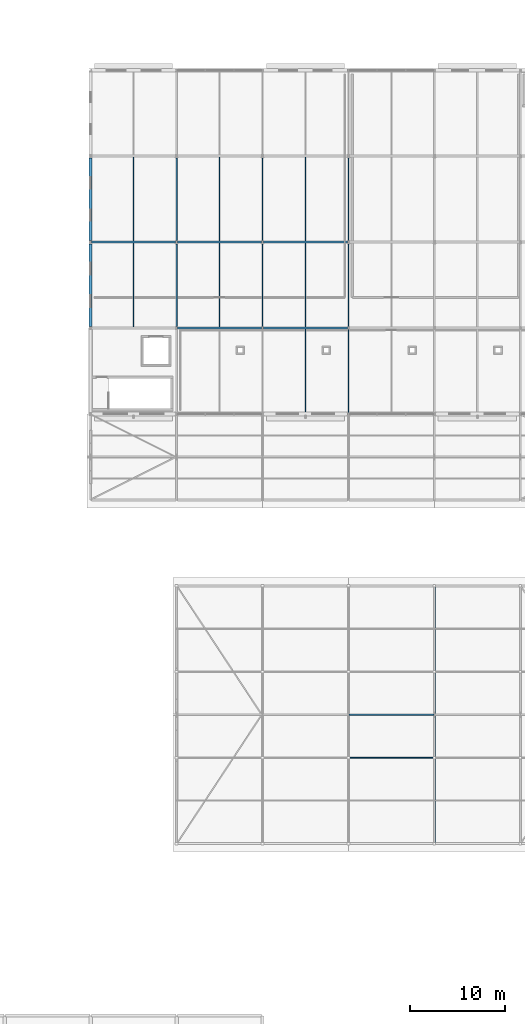
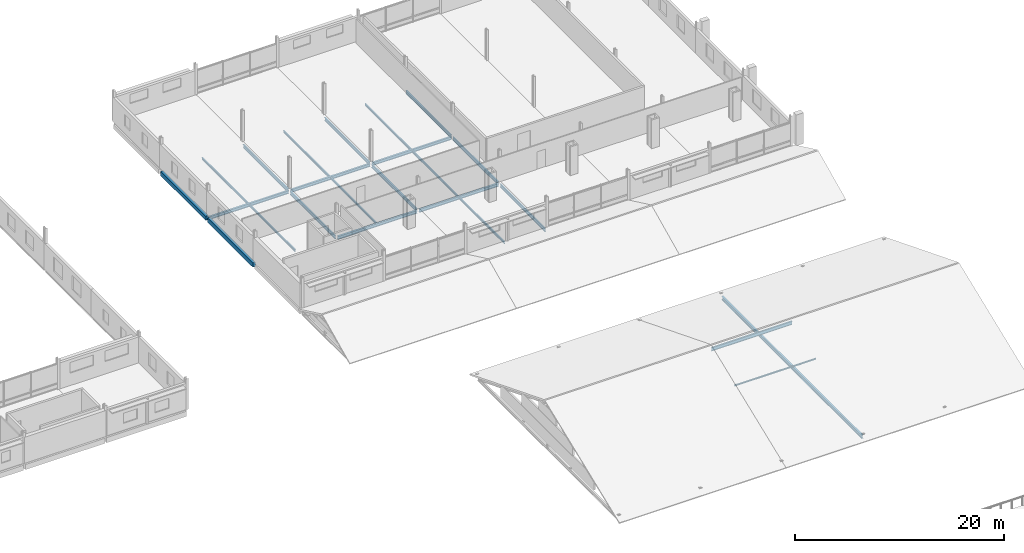
# One storey, part 73 of 132: 22 beams, 2 members.
"""IFC4 building model written with IfcOpenShell, lengths in metres."""

import ifcopenshell
import ifcopenshell.guid

model = None  # the IFC model being written
_history = None  # IfcOwnerHistory: only IFC2X3 demands one
_inside = {}  # id of a spatial element -> (the spatial element, [elements in it])
_under = {}  # id of a project, library or spatial element -> (it, [spatial elements below it])
_declared = {}  # id of a project -> (the project, [libraries it declares])
_typed = {}  # id of a type object -> (the type object, [elements of that type])
_made_of = {}  # id of a material, layer set ... -> (it, [elements and type objects made of it])


def new_model(schema):
    """Start an empty IFC model of exactly this schema.

    Asked for "IFC4X3", IfcOpenShell would pick the latest addendum, in which some entities
    have other attributes; the version numbers below select the first issue.
    IFC2X3 requires an IfcOwnerHistory on every rooted entity: one is made here for all.
    """
    global model, _history
    if schema == "IFC4X3":
        model = ifcopenshell.file(schema_version=(4, 3, 0, 0))
    else:
        model = ifcopenshell.file(schema=schema)
    _inside.clear()
    _under.clear()
    _declared.clear()
    _typed.clear()
    _made_of.clear()
    _history = None
    if model.schema == "IFC2X3":
        org = make("IfcOrganization", Name="unknown")
        user = make(
            "IfcPersonAndOrganization",
            ThePerson=make("IfcPerson", FamilyName="unknown"),
            TheOrganization=org,
        )
        app = make(
            "IfcApplication",
            ApplicationDeveloper=org,
            Version="unknown",
            ApplicationFullName="unknown",
            ApplicationIdentifier="unknown",
        )
        _history = make(
            "IfcOwnerHistory",
            OwningUser=user,
            OwningApplication=app,
            ChangeAction="ADDED",
            CreationDate=0,
        )
    return model


def make(cls, **values):
    """One entity of the class cls with the attributes given. An attribute that is None is left unset."""
    return model.create_entity(
        cls, **{name: value for name, value in values.items() if value is not None}
    )


def rooted(cls, **values):
    """An entity with a GlobalId (a new one), such as an element, a storey or a relation."""
    return make(cls, GlobalId=ifcopenshell.guid.new(), OwnerHistory=_history, **values)


def si_unit(unit_type, name, prefix=None):
    """IfcSIUnit, for example si_unit("LENGTHUNIT", "METRE", prefix="MILLI")."""
    return make("IfcSIUnit", UnitType=unit_type, Prefix=prefix, Name=name)


def assignment(units):
    """IfcUnitAssignment: the units of a project."""
    return None if units is None else make("IfcUnitAssignment", Units=units)


def point(xyz):
    """IfcCartesianPoint."""
    return None if xyz is None else make("IfcCartesianPoint", Coordinates=xyz)


def direction(xyz):
    """IfcDirection."""
    return None if xyz is None else make("IfcDirection", DirectionRatios=xyz)


def frame(location, z_axis=None, x_axis=None):
    """IfcAxis2Placement3D, a coordinate frame: its origin and axes. An axis left out is left unset."""
    return make(
        "IfcAxis2Placement3D",
        Location=point(location),
        Axis=direction(z_axis),
        RefDirection=direction(x_axis),
    )


def frame_2d(location, x_axis=None):
    """IfcAxis2Placement2D, a coordinate frame in the plane: its origin and x axis."""
    return make(
        "IfcAxis2Placement2D", Location=point(location), RefDirection=direction(x_axis)
    )


def origin():
    """The frame at (0, 0, 0) with its axes left unset."""
    return frame((0.0, 0.0, 0.0))


def origin_2d():
    """The frame at (0, 0) in the plane with its x axis left unset."""
    return frame_2d((0.0, 0.0))


def place(relative_to, where):
    """IfcLocalPlacement: puts the frame where relative to a parent placement (None: the world)."""
    return make(
        "IfcLocalPlacement", PlacementRelTo=relative_to, RelativePlacement=where
    )


def context(
    kind, dimensions, precision=None, world=None, true_north=None, identifier=None
):
    """IfcGeometricRepresentationContext, for example the 3D "Model" context."""
    return make(
        "IfcGeometricRepresentationContext",
        ContextIdentifier=identifier,
        ContextType=kind,
        CoordinateSpaceDimension=dimensions,
        Precision=precision,
        WorldCoordinateSystem=world,
        TrueNorth=true_north,
    )


def subcontext(parent, identifier, kind, view, scale=None):
    """IfcGeometricRepresentationSubContext, for example "Body" below "Model"."""
    return make(
        "IfcGeometricRepresentationSubContext",
        ContextIdentifier=identifier,
        ContextType=kind,
        ParentContext=parent,
        TargetScale=scale,
        TargetView=view,
    )


def project(units=None, contexts=None):
    """IfcProject with its units and contexts."""
    return rooted(
        "IfcProject",
        Name="project",
        RepresentationContexts=contexts,
        UnitsInContext=assignment(units),
    )


def spatial(cls, under=None, at=None, **own):
    """A site, building, storey or space (cls), placed at a placement, below another one or the project."""
    s = rooted(cls, ObjectPlacement=at, **own)
    if under is not None:
        _under.setdefault(under.id(), (under, []))[1].append(s)
    return s


def profile(cls, at=None, kind="AREA", **sizes):
    """A parametric profile (cls). Its sizes go by their IFC names, for example OverallWidth=200.0."""
    return make(cls, ProfileType=kind, Position=at, **sizes)


def rectangle(**sizes):
    """IfcRectangleProfileDef."""
    return profile("IfcRectangleProfileDef", **sizes)


def i_section(**sizes):
    """IfcIShapeProfileDef."""
    return profile("IfcIShapeProfileDef", **sizes)


def extrude(swept, where, along, depth):
    """IfcExtrudedAreaSolid: the profile swept, set in the frame where, extruded along a direction by depth."""
    return make(
        "IfcExtrudedAreaSolid",
        SweptArea=swept,
        Position=where,
        ExtrudedDirection=direction(along),
        Depth=depth,
    )


def shape(context_of_items, identifier, shape_type, items):
    """IfcShapeRepresentation: the items that make up one representation, for example the "Body"."""
    return make(
        "IfcShapeRepresentation",
        ContextOfItems=context_of_items,
        RepresentationIdentifier=identifier,
        RepresentationType=shape_type,
        Items=items,
    )


def material(Name=None, Category=None):
    """IfcMaterial."""
    return make("IfcMaterial", Name=Name, Category=Category)


def material_profile(
    of_material, cross_section, Name=None, Category=None, Priority=None
):
    """IfcMaterialProfile: a cross section and its material."""
    return make(
        "IfcMaterialProfile",
        Name=Name,
        Material=of_material,
        Profile=cross_section,
        Priority=Priority,
        Category=Category,
    )


def profile_set(profiles, Name=None, composite=None):
    """IfcMaterialProfileSet."""
    return make(
        "IfcMaterialProfileSet",
        Name=Name,
        MaterialProfiles=profiles,
        CompositeProfile=composite,
    )


def made_of(thing, what):
    """Note that an element or type object is made of a material, layer set ...; save() writes the relation."""
    if what is not None:
        _made_of.setdefault(what.id(), (what, []))[1].append(thing)
    return thing


def type_object(cls, material=None, **own):
    """A type object (cls), such as IfcWallType, which elements share."""
    return made_of(rooted(cls, **own), material)


def element(
    cls,
    number,
    at=None,
    inside=None,
    cuts=None,
    type_object=None,
    material=None,
    context=None,
    identifier="Body",
    shape_type=None,
    held_by="IfcProductDefinitionShape",
    body=None,
    shapes=None,
    **own,
):
    """One element of the class cls, such as IfcWall. Its Tag is "e" and its number.

    at: its placement. inside: the storey or other place that contains it. cuts: it is an
    opening in that element (IfcRelVoidsElement). A single representation is given by context,
    identifier, shape_type and body (its items); several are given by shapes. held_by: the class
    of the entity that holds the representations. save() writes the other relations.
    """
    e = rooted(cls, Tag="e%d" % number, ObjectPlacement=at, **own)
    if body is not None:
        shapes = [shape(context, identifier, shape_type, body)]
    if shapes is not None:
        e.Representation = make(held_by, Representations=shapes)
    if inside is not None:
        _inside.setdefault(inside.id(), (inside, []))[1].append(e)
    if cuts is not None:
        rooted(
            "IfcRelVoidsElement", RelatingBuildingElement=cuts, RelatedOpeningElement=e
        )
    if type_object is not None:
        _typed.setdefault(type_object.id(), (type_object, []))[1].append(e)
    return made_of(e, material)


def aggregate(whole, parts):
    """IfcRelAggregates: a whole, such as a stair, and the parts it consists of."""
    return rooted("IfcRelAggregates", RelatingObject=whole, RelatedObjects=parts)


def save(model, path):
    """Write the relations noted so far, then the file.

    IfcRelAggregates (storeys below a building ...), IfcRelContainedInSpatialStructure (elements
    in a storey), IfcRelDefinesByType, IfcRelAssociatesMaterial and IfcRelDeclares: one each for
    every whole, place, type object, material and project.
    """
    for whole, parts in _under.values():
        aggregate(whole, parts)
    for where, things in _inside.values():
        rooted(
            "IfcRelContainedInSpatialStructure",
            RelatedElements=things,
            RelatingStructure=where,
        )
    for kind, things in _typed.values():
        rooted("IfcRelDefinesByType", RelatedObjects=things, RelatingType=kind)
    for what, things in _made_of.values():
        rooted("IfcRelAssociatesMaterial", RelatedObjects=things, RelatingMaterial=what)
    for by, libraries in _declared.values():
        rooted("IfcRelDeclares", RelatingContext=by, RelatedDefinitions=libraries)
    model.write(path)


model = new_model("IFC4")

# Units and contexts
model_context = context("Model", 3, precision=1e-05, world=origin(), true_north=direction((0.0, 1.0)))
body_context = subcontext(model_context, "Body", "Model", "MODEL_VIEW")
ifc_project = project(units=[si_unit("LENGTHUNIT", "METRE"), si_unit("AREAUNIT", "SQUARE_METRE"), si_unit("VOLUMEUNIT", "CUBIC_METRE"), si_unit("PLANEANGLEUNIT", "RADIAN"), si_unit("MASSUNIT", "GRAM", prefix="KILO")], contexts=[model_context])

# Site, building, storey
site_placement = place(None, origin())
site = spatial("IfcSite", under=ifc_project, at=site_placement, CompositionType="ELEMENT")
building_placement = place(site_placement, origin())
building = spatial("IfcBuilding", under=site, at=building_placement, Name="Tharagai Park Tramway Depot", CompositionType="ELEMENT")
storey_placement = place(building_placement, frame((0.0, 0.0, 4.800048828125)))
storey = spatial("IfcBuildingStorey", under=building, at=storey_placement, Name="L01", CompositionType="ELEMENT", Elevation=4.800048828125)

# Beams
ifc_material_1 = material(Name="Steel E350", Category="steel")
ifc_material_profile_1 = material_profile(ifc_material_1, i_section(OverallWidth=0.199951171875, OverallDepth=0.39990234375, WebThickness=0.008544921875, FlangeThickness=0.012939453125, FilletRadius=0.013916015625, at=origin_2d()), Name="ISWB 400")
ifc_profile_set_1 = profile_set([ifc_material_profile_1], Name="Steel E350")
beam_type_1 = type_object("IfcBeamType", Name="BM-05", PredefinedType="BEAM", material=ifc_profile_set_1)
beam_1_placement = place(storey_placement, frame((198.0, 54.080078125, -0.449951171875), z_axis=(0.0, 1.0, 0.0), x_axis=(-1.0, 0.0, 0.0)))
element("IfcBeam", 1, at=beam_1_placement, inside=storey, type_object=beam_type_1, Name="V6 Gable Tie Girder BM-05", PredefinedType="BEAM", context=body_context, shape_type="SweptSolid", body=[
    extrude(i_section(OverallWidth=0.199951171875, OverallDepth=0.39990234375, WebThickness=0.008544921875, FlangeThickness=0.012939453125, FilletRadius=0.013916015625, at=origin_2d()), origin(), (0.0, 0.0, 1.0), 26.83984375),
])
ifc_material_profile_2 = material_profile(ifc_material_1, i_section(OverallWidth=0.139892578125, OverallDepth=0.39990234375, WebThickness=0.0087890625, FlangeThickness=0.01611328125, FilletRadius=0.013916015625, at=origin_2d()), Name="ISMB 400")
ifc_profile_set_2 = profile_set([ifc_material_profile_2], Name="Steel E350")
beam_type_2 = type_object("IfcBeamType", Name="BM-06", PredefinedType="BEAM", material=ifc_profile_set_2)
for number, where, z_axis, x_axis, name in (
    (2, (171.0, 108.175048828125, -0.47998046875), (0.0, 1.0, 0.0), (-1.0, 0.0, 0.0), "L01 Grid Beam BM-06"),
    (3, (171.0, 117.175048828125, -0.47998046875), (0.0, 1.0, 0.0), (-1.0, 0.0, 0.0), "L01 Grid Beam BM-06"),
    (4, (180.0, 108.175048828125, -0.47998046875), (0.0, 1.0, 0.0), (-1.0, 0.0, 0.0), "L01 Grid Beam BM-06"),
    (5, (180.0, 117.175048828125, -0.47998046875), (0.0, 1.0, 0.0), (-1.0, 0.0, 0.0), "L01 Grid Beam BM-06"),
    (6, (189.0, 99.175048828125, -0.47998046875), (0.0, 1.0, 0.0), (-1.0, 0.0, 0.0), "L01 Grid Beam BM-06"),
    (7, (189.0, 108.175048828125, -0.47998046875), (0.0, 1.0, 0.0), (-1.0, 0.0, 0.0), "L01 Grid Beam BM-06"),
    (8, (189.0, 117.175048828125, -0.47998046875), (0.0, 1.0, 0.0), (-1.0, 0.0, 0.0), "L01 Grid Beam BM-06"),
):
    element("IfcBeam", number, at=place(storey_placement, frame(where, z_axis=z_axis, x_axis=x_axis)), inside=storey, type_object=beam_type_2, Name=name, PredefinedType="BEAM", context=body_context, shape_type="SweptSolid", body=[
        extrude(i_section(OverallWidth=0.139892578125, OverallDepth=0.39990234375, WebThickness=0.0087890625, FlangeThickness=0.01611328125, FilletRadius=0.013916015625, at=origin_2d()), origin(), (0.0, 0.0, 1.0), 8.64990234375),
    ])
ifc_material_profile_3 = material_profile(ifc_material_1, i_section(OverallWidth=0.199951171875, OverallDepth=0.35009765625, WebThickness=0.008056640625, FlangeThickness=0.011474609375, FilletRadius=0.011962890625, at=origin_2d()), Name="ISWB 350")
ifc_profile_set_3 = profile_set([ifc_material_profile_3], Name="Steel E350")
beam_type_3 = type_object("IfcBeamType", Name="BM-15", PredefinedType="BEAM", material=ifc_profile_set_3)
for number, where, z_axis, x_axis, name in (
    (9, (171.10009765625, 108.0, -0.455078125), (1.0, 0.0, 0.0), (0.0, 1.0, 0.0), "L01 Grid Beam BM-15"),
    (10, (180.10009765625, 108.0, -0.455078125), (1.0, 0.0, 0.0), (0.0, 1.0, 0.0), "L01 Grid Beam BM-15"),
    (11, (162.10009765625, 117.0, -0.455078125), (1.0, 0.0, 0.0), (0.0, 1.0, 0.0), "L01 Grid Beam BM-15"),
    (12, (171.10009765625, 117.0, -0.455078125), (1.0, 0.0, 0.0), (0.0, 1.0, 0.0), "L01 Grid Beam BM-15"),
    (13, (180.10009765625, 117.0, -0.455078125), (1.0, 0.0, 0.0), (0.0, 1.0, 0.0), "L01 Grid Beam BM-15"),
):
    element("IfcBeam", number, at=place(storey_placement, frame(where, z_axis=z_axis, x_axis=x_axis)), inside=storey, type_object=beam_type_3, Name=name, PredefinedType="BEAM", context=body_context, shape_type="SweptSolid", body=[
        extrude(i_section(OverallWidth=0.199951171875, OverallDepth=0.35009765625, WebThickness=0.008056640625, FlangeThickness=0.011474609375, FilletRadius=0.011962890625, at=origin_2d()), origin(), (0.0, 0.0, 1.0), 8.7998046875),
    ])
ifc_material_2 = material(Name="Steel E250", Category="steel")
ifc_material_profile_4 = material_profile(ifc_material_2, i_section(OverallWidth=0.125, OverallDepth=0.25, WebThickness=0.0068359375, FlangeThickness=0.012451171875, FilletRadius=0.012939453125, at=origin_2d()), Name="ISMB 250")
ifc_profile_set_4 = profile_set([ifc_material_profile_4], Name="Steel E250")
beam_type_4 = type_object("IfcBeamType", Name="JT-02", PredefinedType="JOIST", material=ifc_profile_set_4)
for number, where, z_axis, x_axis, name in (
    (14, (166.5, 108.10009765625, -0.405029296875), (0.0, 1.0, 0.0), (-1.0, 0.0, 0.0), "L01 Secondary Joist JT-02"),
    (15, (166.5, 117.10009765625, -0.405029296875), (0.0, 1.0, 0.0), (-1.0, 0.0, 0.0), "L01 Secondary Joist JT-02"),
    (16, (175.5, 108.10009765625, -0.405029296875), (0.0, 1.0, 0.0), (-1.0, 0.0, 0.0), "L01 Secondary Joist JT-02"),
    (17, (175.5, 117.10009765625, -0.405029296875), (0.0, 1.0, 0.0), (-1.0, 0.0, 0.0), "L01 Secondary Joist JT-02"),
):
    element("IfcBeam", number, at=place(storey_placement, frame(where, z_axis=z_axis, x_axis=x_axis)), inside=storey, type_object=beam_type_4, Name=name, PredefinedType="JOIST", context=body_context, shape_type="SweptSolid", body=[
        extrude(i_section(OverallWidth=0.125, OverallDepth=0.25, WebThickness=0.0068359375, FlangeThickness=0.012451171875, FilletRadius=0.012939453125, at=origin_2d()), origin(), (0.0, 0.0, 1.0), 8.7998046875),
    ])
beam_2_placement = place(storey_placement, frame((184.5, 99.199951171875, -0.405029296875), z_axis=(0.0, 1.0, 0.0), x_axis=(-1.0, 0.0, 0.0)))
element("IfcBeam", 18, at=beam_2_placement, inside=storey, type_object=beam_type_4, Name="L01 Secondary Joist JT-02", PredefinedType="JOIST", context=body_context, shape_type="SweptSolid", body=[
    extrude(i_section(OverallWidth=0.125, OverallDepth=0.25, WebThickness=0.0068359375, FlangeThickness=0.012451171875, FilletRadius=0.012939453125, at=origin_2d()), origin(), (0.0, 0.0, 1.0), 8.699951171875),
])
for number, where, z_axis, x_axis, name in (
    (19, (184.5, 108.10009765625, -0.405029296875), (0.0, 1.0, 0.0), (-1.0, 0.0, 0.0), "L01 Secondary Joist JT-02"),
    (20, (184.5, 117.10009765625, -0.405029296875), (0.0, 1.0, 0.0), (-1.0, 0.0, 0.0), "L01 Secondary Joist JT-02"),
):
    element("IfcBeam", number, at=place(storey_placement, frame(where, z_axis=z_axis, x_axis=x_axis)), inside=storey, type_object=beam_type_4, Name=name, PredefinedType="JOIST", context=body_context, shape_type="SweptSolid", body=[
        extrude(i_section(OverallWidth=0.125, OverallDepth=0.25, WebThickness=0.0068359375, FlangeThickness=0.012451171875, FilletRadius=0.012939453125, at=origin_2d()), origin(), (0.0, 0.0, 1.0), 8.7998046875),
    ])

# Member
ifc_material_profile_5 = material_profile(ifc_material_2, i_section(OverallWidth=0.070068359375, OverallDepth=0.125, WebThickness=0.00439453125, FlangeThickness=0.007080078125, FilletRadius=0.008056640625, at=origin_2d()), Name="ISMB 125")
ifc_profile_set_5 = profile_set([ifc_material_profile_5], Name="Steel E250")
member_type_1 = type_object("IfcMemberType", Name="PR-06", PredefinedType="PURLIN", material=ifc_profile_set_5)
member_1_placement = place(storey_placement, frame((189.02001953125, 63.0, 3.284912109375), z_axis=(1.0, 0.0, 0.0), x_axis=(0.0, 1.0, 0.0)))
element("IfcMember", 21, at=member_1_placement, inside=storey, type_object=member_type_1, Name="V6 Roof Purlin PR-06", PredefinedType="PURLIN", context=body_context, shape_type="SweptSolid", body=[
    extrude(i_section(OverallWidth=0.070068359375, OverallDepth=0.125, WebThickness=0.00439453125, FlangeThickness=0.007080078125, FilletRadius=0.008056640625, at=origin_2d()), origin(), (0.0, 0.0, 1.0), 8.9599609375),
])

# Beams
ifc_material_3 = material(Name="Concrete M35", Category="concrete")
ifc_material_profile_6 = material_profile(ifc_material_3, rectangle(XDim=0.300048828125, YDim=0.5, at=origin_2d()), Name="RC 300x500")
ifc_profile_set_6 = profile_set([ifc_material_profile_6], Name="Concrete M35")
beam_type_5 = type_object("IfcBeamType", Name="SP-03", PredefinedType="SPANDREL", material=ifc_profile_set_6)
for number, where, z_axis, x_axis, name in (
    (22, (162.0, 108.175048828125, -0.530029296875), (0.0, 1.0, 0.0), (-1.0, 0.0, 0.0), "L01 Grid Beam SP-03"),
    (23, (162.0, 117.175048828125, -0.530029296875), (0.0, 1.0, 0.0), (-1.0, 0.0, 0.0), "L01 Grid Beam SP-03"),
):
    element("IfcBeam", number, at=place(storey_placement, frame(where, z_axis=z_axis, x_axis=x_axis)), inside=storey, type_object=beam_type_5, Name=name, PredefinedType="SPANDREL", context=body_context, shape_type="SweptSolid", body=[
        extrude(rectangle(XDim=0.300048828125, YDim=0.5, at=origin_2d()), origin(), (0.0, 0.0, 1.0), 8.64990234375),
    ])

# Member
ifc_material_profile_7 = material_profile(ifc_material_1, i_section(OverallWidth=0.1650390625, OverallDepth=0.39990234375, WebThickness=0.008056640625, FlangeThickness=0.012451171875, FilletRadius=0.013916015625, at=origin_2d()), Name="ISLB 400")
ifc_profile_set_7 = profile_set([ifc_material_profile_7], Name="Steel E350")
member_type_2 = type_object("IfcMemberType", Name="TC-04", PredefinedType="CHORD", material=ifc_profile_set_7)
member_2_placement = place(storey_placement, frame((189.0400390625, 67.5, 4.7900390625), z_axis=(1.0, 0.0, 0.0), x_axis=(0.0, 1.0, 0.0)))
element("IfcMember", 24, at=member_2_placement, inside=storey, type_object=member_type_2, Name="V6 Roof Ridge Chord TC-04", PredefinedType="CHORD", context=body_context, shape_type="SweptSolid", body=[
    extrude(i_section(OverallWidth=0.1650390625, OverallDepth=0.39990234375, WebThickness=0.008056640625, FlangeThickness=0.012451171875, FilletRadius=0.013916015625, at=origin_2d()), origin(), (0.0, 0.0, 1.0), 8.919921875),
])

save(model, "model.ifc")
